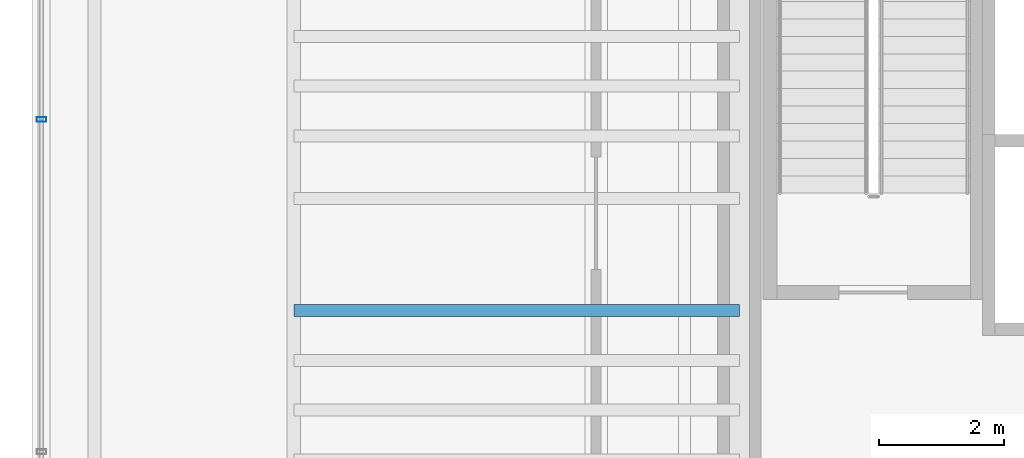
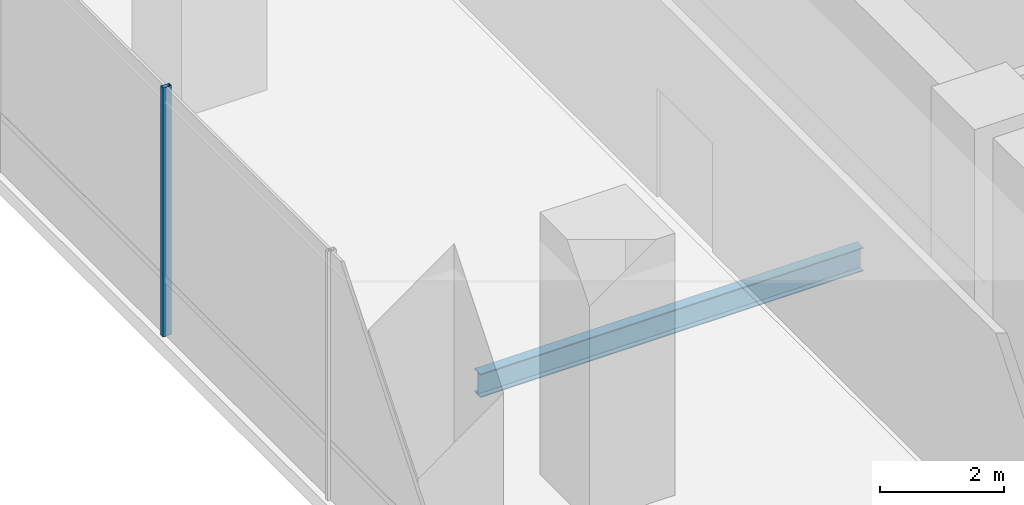
# One storey, part 4 of 39: 1 beam, 1 member, 1 element without a shape of its own.
"""IFC4 building model written with IfcOpenShell, lengths in metres."""

from ifc_helpers import new_model, si_unit, direction, frame, origin, origin_2d, place, context, subcontext, project, spatial, hollow_rectangle, i_section, extrude, source, transform, mapped, material, material_profile, profile_set, type_object, element, aggregate, save


model = new_model("IFC4")

# Units and contexts
model_context = context("Model", 3, precision=1e-05, world=origin(), true_north=direction((0.0, 1.0)))
body_context = subcontext(model_context, "Body", "Model", "MODEL_VIEW")
ifc_project = project(units=[si_unit("LENGTHUNIT", "METRE"), si_unit("AREAUNIT", "SQUARE_METRE"), si_unit("VOLUMEUNIT", "CUBIC_METRE"), si_unit("PLANEANGLEUNIT", "RADIAN"), si_unit("MASSUNIT", "GRAM", prefix="KILO")], contexts=[model_context])

# Site, building, storey
site_placement = place(None, origin())
site = spatial("IfcSite", under=ifc_project, at=site_placement, CompositionType="ELEMENT")
building_placement = place(site_placement, origin())
building = spatial("IfcBuilding", under=site, at=building_placement, Name="Valdorenza Pilgrim Sanctuary Tower", CompositionType="ELEMENT")
storey_placement = place(building_placement, frame((0.0, 0.0, 5.199951171875)))
storey = spatial("IfcBuildingStorey", under=building, at=storey_placement, Name="L01", CompositionType="ELEMENT", Elevation=5.199951171875)

# Beam
ifc_material_1 = material(Name="Steel ASTM A992 Grade 50", Category="steel")
ifc_material_profile_1 = material_profile(ifc_material_1, i_section(OverallWidth=0.193115234375, OverallDepth=0.466064453125, WebThickness=0.011474609375, FlangeThickness=0.01904296875, at=origin_2d()), Name="W18X65")
ifc_profile_set_1 = profile_set([ifc_material_profile_1], Name="Steel ASTM A992 Grade 50")
beam_type = type_object("IfcBeamType", Name="STR-BM-JST-W18A", PredefinedType="JOIST", material=ifc_profile_set_1)
shared_shape_1 = source(origin(), body_context, "Body", "SweptSolid", [
    extrude(i_section(OverallWidth=0.193115234375, OverallDepth=0.466064453125, WebThickness=0.011474609375, FlangeThickness=0.01904296875, at=origin_2d()), origin(), (0.0, 0.0, 1.0), 7.150146484375),
])
beam_placement = place(storey_placement, frame((-29.800048828125, 1.60009765625, -0.512939453125), z_axis=(1.0, 0.0, 0.0), x_axis=(0.0, 1.0, 0.0)))
element("IfcBeam", 1, at=beam_placement, inside=storey, type_object=beam_type, Name="L01 Composite Floor Joist JST-WA-14", PredefinedType="JOIST", context=body_context, shape_type="MappedRepresentation", body=[
    mapped(shared_shape_1, transform((0.0, 0.0, 0.0), x_axis=(1.0, 0.0, 0.0), y_axis=(0.0, 1.0, 0.0), z_axis=(0.0, 0.0, 1.0), scale=1.0)),
])

# Curtain wall, member
ifc_material_2 = material(Name="Curtain-wall IGU glazing", Category="glass")
curtain_wall_type = type_object("IfcCurtainWallType", Name="CW-SYS-01", PredefinedType="NOTDEFINED", material=ifc_material_2)
curtain_wall_placement = place(storey_placement, origin())
curtain_wall = element("IfcCurtainWall", 2, at=curtain_wall_placement, inside=storey, type_object=curtain_wall_type, Name="L01 Curtain Wall CW-POD-L01-WW", PredefinedType="NOTDEFINED")
ifc_material_3 = material(Name="Anodised aluminium AW-6060", Category="aluminium")
ifc_material_profile_2 = material_profile(ifc_material_3, hollow_rectangle(XDim=0.074951171875, YDim=0.159912109375, WallThickness=0.00390625, at=origin_2d()), Name="ALU-M 160x75x4")
ifc_profile_set_2 = profile_set([ifc_material_profile_2], Name="Anodised aluminium AW-6060")
member_type = type_object("IfcMemberType", Name="CW-MUL-01", PredefinedType="MULLION", material=ifc_profile_set_2)
shared_shape_2 = source(origin(), body_context, "Body", "SweptSolid", [
    extrude(hollow_rectangle(XDim=0.074951171875, YDim=0.159912109375, WallThickness=0.00390625, at=origin_2d()), origin(), (0.0, 0.0, 1.0), 4.920166015625),
])
member_placement = place(storey_placement, frame((-33.85009765625, 4.666748046875, 0.0), z_axis=(0.0, 0.0, 1.0), x_axis=(0.0, 1.0, 0.0)))
member = element("IfcMember", 3, at=member_placement, type_object=member_type, Name="CW-POD-L01-WW Mullion 3", PredefinedType="MULLION", context=body_context, shape_type="MappedRepresentation", body=[
    mapped(shared_shape_2, transform((0.0, 0.0, 0.0), x_axis=(1.0, 0.0, 0.0), y_axis=(0.0, 1.0, 0.0), z_axis=(0.0, 0.0, 1.0), scale=1.0)),
])
aggregate(curtain_wall, [member])

save(model, "model.ifc")
